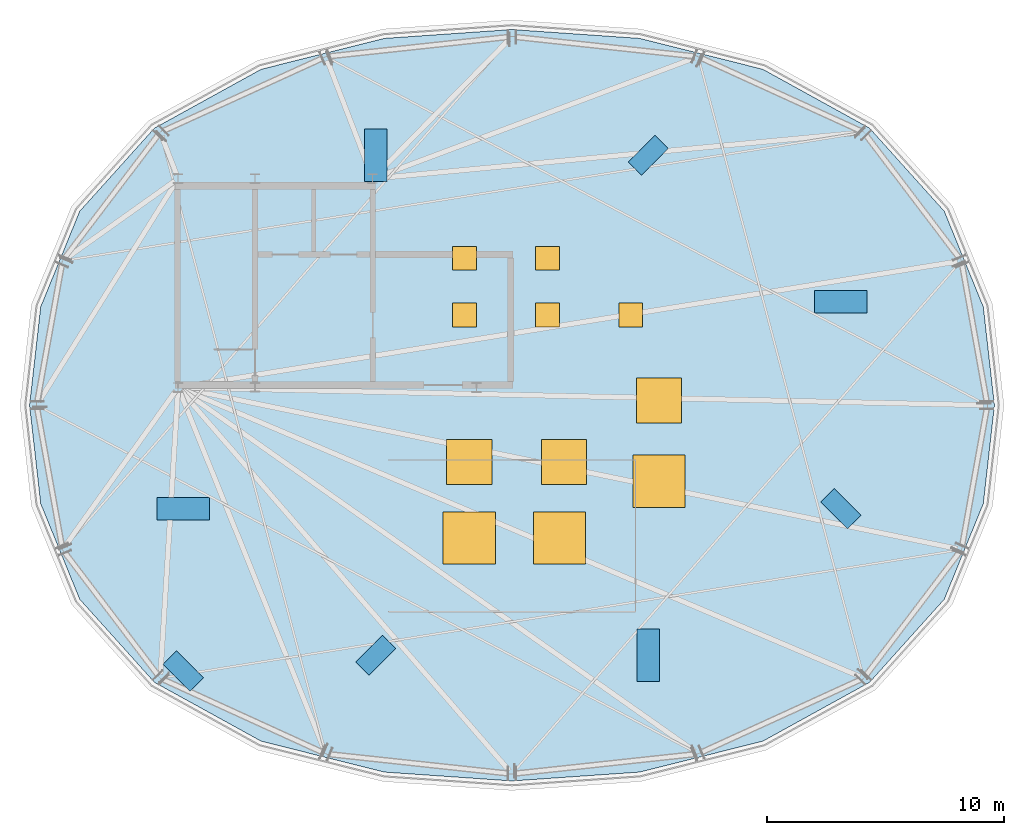
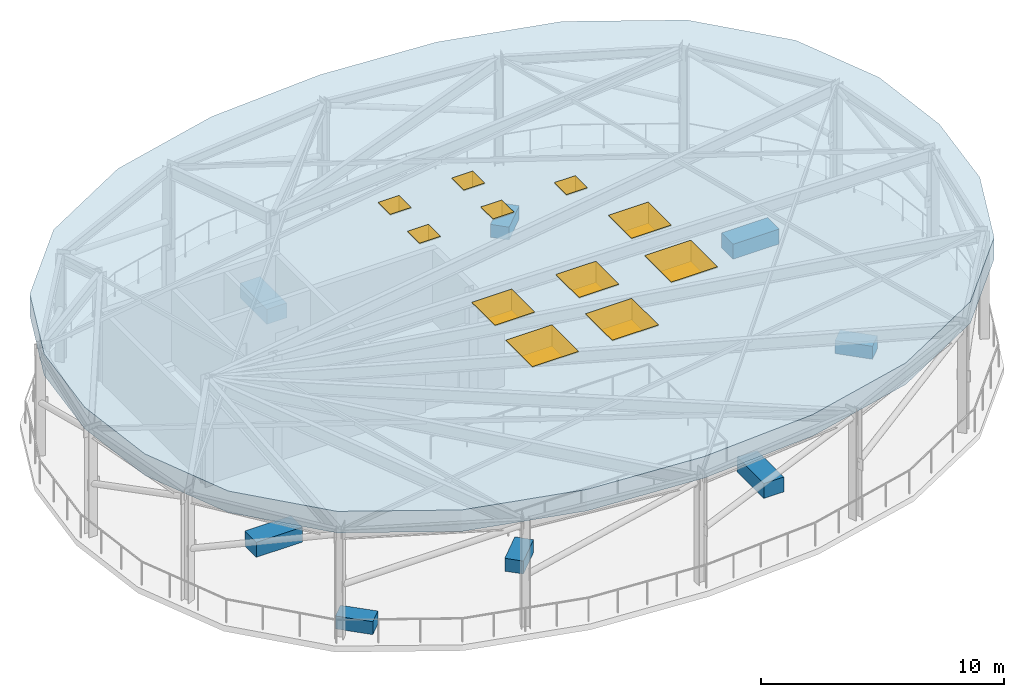
"""IFC4 building model written with IfcOpenShell, lengths in metres."""

from ifc_helpers import new_model, si_unit, direction, frame, origin, origin_2d, place, context, subcontext, project, spatial, polyline, rectangle, outline, extrude, material, layer, layer_set, type_object, element, fill, save


model = new_model("IFC4")

# Units and contexts
model_context = context("Model", 3, precision=1e-05, world=origin(), true_north=direction((0.0, 1.0)))
body_context = subcontext(model_context, "Body", "Model", "MODEL_VIEW")
ifc_project = project(units=[si_unit("LENGTHUNIT", "METRE"), si_unit("AREAUNIT", "SQUARE_METRE"), si_unit("VOLUMEUNIT", "CUBIC_METRE"), si_unit("PLANEANGLEUNIT", "RADIAN"), si_unit("MASSUNIT", "GRAM", prefix="KILO")], contexts=[model_context])

# Site, building, storey
site_placement = place(None, origin())
site = spatial("IfcSite", under=ifc_project, at=site_placement, CompositionType="ELEMENT")
building_placement = place(site_placement, origin())
building = spatial("IfcBuilding", under=site, at=building_placement, Name="Haldorwick Loom Tower", CompositionType="ELEMENT")
storey_1_placement = place(building_placement, frame((0.0, 0.0, 300.5)))
storey_1 = spatial("IfcBuildingStorey", under=building, at=storey_1_placement, Name="RF", CompositionType="ELEMENT", Elevation=300.5)

# Roof, openings, doors
ifc_material_1 = material(Name="Concrete C40 (40 MPa)", Category="concrete")
ifc_layer = layer(ifc_material_1, 1.080078125, Name="Concrete C40 (40 MPa)", Category="concrete")
ifc_layer_set = layer_set([ifc_layer], Name="Concrete C40 (40 MPa)")
roof_type = type_object("IfcRoofType", Name="STR-ROOF-CROWN220", PredefinedType="FLAT_ROOF", material=ifc_layer_set)
roof_placement = place(storey_1_placement, frame((0.0, 0.0, 5.419921875)))
roof = element("IfcRoof", 1, at=roof_placement, inside=storey_1, type_object=roof_type, Name="RF Botanical Sky-Garden High Canopy Roof", PredefinedType="FLAT_ROOF", context=body_context, shape_type="SweptSolid", body=[
    extrude(outline(polyline([(55.861083984375, 30.149169921875), (54.2177734375, 34.17578125), (51.068115234375, 37.678466796875), (46.569091796875, 40.15869140625), (41.36376953125, 41.46142578125), (36.0, 41.833740234375), (30.63623046875, 41.46142578125), (25.430908203125, 40.15869140625), (20.931884765625, 37.678466796875), (17.7822265625, 34.17578125), (16.138916015625, 30.149169921875), (15.6689453125, 26.0), (16.138916015625, 21.850830078125), (17.7822265625, 17.82421875), (20.931884765625, 14.321533203125), (25.430908203125, 11.84130859375), (30.63623046875, 10.53857421875), (36.0, 10.166259765625), (41.36376953125, 10.53857421875), (46.569091796875, 11.84130859375), (51.068115234375, 14.321533203125), (54.2177734375, 17.82421875), (55.861083984375, 21.850830078125), (56.3310546875, 26.0), (55.861083984375, 30.149169921875)])), origin(), (0.0, 0.0, 1.0), 1.080078125),
])
opening_1_placement = place(roof_placement, frame((34.199951171875, 20.39990234375, 0.0)))
opening_1 = element("IfcOpeningElement", 2, at=opening_1_placement, cuts=roof, Name="Opening SK-01", PredefinedType="OPENING", context=body_context, shape_type="SweptSolid", body=[
    extrude(rectangle(XDim=2.199951171875, YDim=2.199951171875, at=origin_2d()), origin(), (0.0, 0.0, 1.0), 1.080078125),
])
opening_2_placement = place(roof_placement, frame((38.0, 20.39990234375, 0.0)))
opening_2 = element("IfcOpeningElement", 3, at=opening_2_placement, cuts=roof, Name="Opening SK-01", PredefinedType="OPENING", context=body_context, shape_type="SweptSolid", body=[
    extrude(rectangle(XDim=2.199951171875, YDim=2.199951171875, at=origin_2d()), origin(), (0.0, 0.0, 1.0), 1.080078125),
])
opening_3_placement = place(roof_placement, frame((42.199951171875, 22.800048828125, 0.0)))
opening_3 = element("IfcOpeningElement", 4, at=opening_3_placement, cuts=roof, Name="Opening SK-01", PredefinedType="OPENING", context=body_context, shape_type="SweptSolid", body=[
    extrude(rectangle(XDim=2.199951171875, YDim=2.199951171875, at=origin_2d()), origin(), (0.0, 0.0, 1.0), 1.080078125),
])
opening_4_placement = place(roof_placement, frame((34.199951171875, 23.60009765625, 0.0)))
opening_4 = element("IfcOpeningElement", 5, at=opening_4_placement, cuts=roof, Name="Opening SK-02", PredefinedType="OPENING", context=body_context, shape_type="SweptSolid", body=[
    extrude(rectangle(XDim=1.89990234375, YDim=1.89990234375, at=origin_2d()), origin(), (0.0, 0.0, 1.0), 1.080078125),
])
opening_5_placement = place(roof_placement, frame((38.199951171875, 23.60009765625, 0.0)))
opening_5 = element("IfcOpeningElement", 6, at=opening_5_placement, cuts=roof, Name="Opening SK-02", PredefinedType="OPENING", context=body_context, shape_type="SweptSolid", body=[
    extrude(rectangle(XDim=1.89990234375, YDim=1.89990234375, at=origin_2d()), origin(), (0.0, 0.0, 1.0), 1.080078125),
])
opening_6_placement = place(roof_placement, frame((42.199951171875, 26.199951171875, 0.0)))
opening_6 = element("IfcOpeningElement", 7, at=opening_6_placement, cuts=roof, Name="Opening SK-02", PredefinedType="OPENING", context=body_context, shape_type="SweptSolid", body=[
    extrude(rectangle(XDim=1.89990234375, YDim=1.89990234375, at=origin_2d()), origin(), (0.0, 0.0, 1.0), 1.080078125),
])
opening_7_placement = place(roof_placement, frame((34.0, 29.800048828125, 0.0)))
opening_7 = element("IfcOpeningElement", 8, at=opening_7_placement, cuts=roof, Name="Opening D-HT10", PredefinedType="OPENING", context=body_context, shape_type="SweptSolid", body=[
    extrude(rectangle(XDim=1.0, YDim=1.0, at=origin_2d()), origin(), (0.0, 0.0, 1.0), 1.080078125),
])
opening_8_placement = place(roof_placement, frame((37.5, 29.800048828125, 0.0)))
opening_8 = element("IfcOpeningElement", 9, at=opening_8_placement, cuts=roof, Name="Opening D-HT10", PredefinedType="OPENING", context=body_context, shape_type="SweptSolid", body=[
    extrude(rectangle(XDim=1.0, YDim=1.0, at=origin_2d()), origin(), (0.0, 0.0, 1.0), 1.080078125),
])
opening_9_placement = place(roof_placement, frame((41.0, 29.800048828125, 0.0)))
opening_9 = element("IfcOpeningElement", 10, at=opening_9_placement, cuts=roof, Name="Opening D-HT10", PredefinedType="OPENING", context=body_context, shape_type="SweptSolid", body=[
    extrude(rectangle(XDim=1.0, YDim=1.0, at=origin_2d()), origin(), (0.0, 0.0, 1.0), 1.080078125),
])
opening_10_placement = place(roof_placement, frame((34.0, 32.199951171875, 0.0)))
opening_10 = element("IfcOpeningElement", 11, at=opening_10_placement, cuts=roof, Name="Opening D-HT10", PredefinedType="OPENING", context=body_context, shape_type="SweptSolid", body=[
    extrude(rectangle(XDim=1.0, YDim=1.0, at=origin_2d()), origin(), (0.0, 0.0, 1.0), 1.080078125),
])
opening_11_placement = place(roof_placement, frame((37.5, 32.199951171875, 0.0)))
opening_11 = element("IfcOpeningElement", 12, at=opening_11_placement, cuts=roof, Name="Opening D-HT10", PredefinedType="OPENING", context=body_context, shape_type="SweptSolid", body=[
    extrude(rectangle(XDim=1.0, YDim=1.0, at=origin_2d()), origin(), (0.0, 0.0, 1.0), 1.080078125),
])
ifc_material_2 = material(Name="Galvanized Steel CSA G40.21 350W", Category="steel")
door_type = type_object("IfcDoorType", Name="ARC-DR-HATCH", OperationType="SINGLE_SWING_LEFT", PredefinedType="TRAPDOOR", material=ifc_material_2)
door_1_placement = place(opening_7_placement, frame((0.0, 0.0, 1.030029296875)))
door_1 = element("IfcDoor", 13, at=door_1_placement, inside=storey_1, type_object=door_type, Name="RF Canopy Maintenance Roof Hatch 1", OperationType="SINGLE_SWING_LEFT", OverallHeight=1.0, OverallWidth=1.0, PredefinedType="TRAPDOOR", context=body_context, shape_type="SweptSolid", body=[
    extrude(rectangle(XDim=1.0, YDim=1.0, at=origin_2d()), origin(), (0.0, 0.0, 1.0), 0.050048828125),
])
fill(opening_7, door_1)
door_2_placement = place(opening_8_placement, frame((0.0, 0.0, 1.030029296875)))
door_2 = element("IfcDoor", 14, at=door_2_placement, inside=storey_1, type_object=door_type, Name="RF Canopy Maintenance Roof Hatch 2", OperationType="SINGLE_SWING_LEFT", OverallHeight=1.0, OverallWidth=1.0, PredefinedType="TRAPDOOR", context=body_context, shape_type="SweptSolid", body=[
    extrude(rectangle(XDim=1.0, YDim=1.0, at=origin_2d()), origin(), (0.0, 0.0, 1.0), 0.050048828125),
])
fill(opening_8, door_2)
door_3_placement = place(opening_9_placement, frame((0.0, 0.0, 1.030029296875)))
door_3 = element("IfcDoor", 15, at=door_3_placement, inside=storey_1, type_object=door_type, Name="RF Canopy Maintenance Roof Hatch 3", OperationType="SINGLE_SWING_LEFT", OverallHeight=1.0, OverallWidth=1.0, PredefinedType="TRAPDOOR", context=body_context, shape_type="SweptSolid", body=[
    extrude(rectangle(XDim=1.0, YDim=1.0, at=origin_2d()), origin(), (0.0, 0.0, 1.0), 0.050048828125),
])
fill(opening_9, door_3)
door_4_placement = place(opening_10_placement, frame((0.0, 0.0, 1.030029296875)))
door_4 = element("IfcDoor", 16, at=door_4_placement, inside=storey_1, type_object=door_type, Name="RF Canopy Maintenance Roof Hatch 4", OperationType="SINGLE_SWING_LEFT", OverallHeight=1.0, OverallWidth=1.0, PredefinedType="TRAPDOOR", context=body_context, shape_type="SweptSolid", body=[
    extrude(rectangle(XDim=1.0, YDim=1.0, at=origin_2d()), origin(), (0.0, 0.0, 1.0), 0.050048828125),
])
fill(opening_10, door_4)
door_5_placement = place(opening_11_placement, frame((0.0, 0.0, 1.030029296875)))
door_5 = element("IfcDoor", 17, at=door_5_placement, inside=storey_1, type_object=door_type, Name="RF Canopy Maintenance Roof Hatch 5", OperationType="SINGLE_SWING_LEFT", OverallHeight=1.0, OverallWidth=1.0, PredefinedType="TRAPDOOR", context=body_context, shape_type="SweptSolid", body=[
    extrude(rectangle(XDim=1.0, YDim=1.0, at=origin_2d()), origin(), (0.0, 0.0, 1.0), 0.050048828125),
])
fill(opening_11, door_5)

# Storey
storey_2_placement = place(building_placement, frame((0.0, 0.0, 296.0)))
storey_2 = spatial("IfcBuildingStorey", under=building, at=storey_2_placement, Name="L79", CompositionType="ELEMENT", Elevation=296.0)

# Window
ifc_material_3 = material(Name="Triple-Glazed Low-E Argon Insulated Glazing Unit", Category="glass")
window_type_1 = type_object("IfcWindowType", Name="ARC-WIN-SKYL", PartitioningType="SINGLE_PANEL", PredefinedType="SKYLIGHT", material=ifc_material_3)
window_1_placement = place(opening_1_placement, frame((0.0, 0.0, 1.030029296875)))
window_1 = element("IfcWindow", 18, at=window_1_placement, inside=storey_2, type_object=window_type_1, Name="RF Canopy Atrium Skylight 1", OverallHeight=2.199951171875, OverallWidth=2.199951171875, PartitioningType="SINGLE_PANEL", PredefinedType="SKYLIGHT", context=body_context, shape_type="SweptSolid", body=[
    extrude(rectangle(XDim=2.199951171875, YDim=2.199951171875, at=origin_2d()), origin(), (0.0, 0.0, 1.0), 0.050048828125),
])

fill(opening_1, window_1)

window_2_placement = place(opening_2_placement, frame((0.0, 0.0, 1.030029296875)))
window_2 = element("IfcWindow", 19, at=window_2_placement, inside=storey_2, type_object=window_type_1, Name="RF Canopy Atrium Skylight 2", OverallHeight=2.199951171875, OverallWidth=2.199951171875, PartitioningType="SINGLE_PANEL", PredefinedType="SKYLIGHT", context=body_context, shape_type="SweptSolid", body=[
    extrude(rectangle(XDim=2.199951171875, YDim=2.199951171875, at=origin_2d()), origin(), (0.0, 0.0, 1.0), 0.050048828125),
])

fill(opening_2, window_2)

window_3_placement = place(opening_3_placement, frame((0.0, 0.0, 1.030029296875)))
window_3 = element("IfcWindow", 20, at=window_3_placement, inside=storey_2, type_object=window_type_1, Name="RF Canopy Atrium Skylight 3", OverallHeight=2.199951171875, OverallWidth=2.199951171875, PartitioningType="SINGLE_PANEL", PredefinedType="SKYLIGHT", context=body_context, shape_type="SweptSolid", body=[
    extrude(rectangle(XDim=2.199951171875, YDim=2.199951171875, at=origin_2d()), origin(), (0.0, 0.0, 1.0), 0.050048828125),
])

fill(opening_3, window_3)

window_type_2 = type_object("IfcWindowType", Name="ARC-WIN-SKYL2", PartitioningType="SINGLE_PANEL", PredefinedType="SKYLIGHT", material=ifc_material_3)
window_4_placement = place(opening_4_placement, frame((0.0, 0.0, 1.030029296875)))
window_4 = element("IfcWindow", 21, at=window_4_placement, inside=storey_2, type_object=window_type_2, Name="RF Canopy Atrium Skylight 4", OverallHeight=1.89990234375, OverallWidth=1.89990234375, PartitioningType="SINGLE_PANEL", PredefinedType="SKYLIGHT", context=body_context, shape_type="SweptSolid", body=[
    extrude(rectangle(XDim=1.89990234375, YDim=1.89990234375, at=origin_2d()), origin(), (0.0, 0.0, 1.0), 0.050048828125),
])

fill(opening_4, window_4)

window_5_placement = place(opening_5_placement, frame((0.0, 0.0, 1.030029296875)))
window_5 = element("IfcWindow", 22, at=window_5_placement, inside=storey_2, type_object=window_type_2, Name="RF Canopy Atrium Skylight 5", OverallHeight=1.89990234375, OverallWidth=1.89990234375, PartitioningType="SINGLE_PANEL", PredefinedType="SKYLIGHT", context=body_context, shape_type="SweptSolid", body=[
    extrude(rectangle(XDim=1.89990234375, YDim=1.89990234375, at=origin_2d()), origin(), (0.0, 0.0, 1.0), 0.050048828125),
])

fill(opening_5, window_5)

window_6_placement = place(opening_6_placement, frame((0.0, 0.0, 1.030029296875)))
window_6 = element("IfcWindow", 23, at=window_6_placement, inside=storey_2, type_object=window_type_2, Name="RF Canopy Atrium Skylight 6", OverallHeight=1.89990234375, OverallWidth=1.89990234375, PartitioningType="SINGLE_PANEL", PredefinedType="SKYLIGHT", context=body_context, shape_type="SweptSolid", body=[
    extrude(rectangle(XDim=1.89990234375, YDim=1.89990234375, at=origin_2d()), origin(), (0.0, 0.0, 1.0), 0.050048828125),
])

fill(opening_6, window_6)

# Discrete accessories
ifc_material_4 = material(Name="Architectural Precast Concrete C40 (40 MPa)", Category="concrete")
discrete_accessory_type_1 = type_object("IfcDiscreteAccessoryType", Name="ARC-ACC-PLANTER", PredefinedType="USERDEFINED", material=ifc_material_4)
for number, where, z_axis, x_axis, name in (
    (24, (49.858154296875, 30.362548828125, 0.0), (0.0, 0.0, 1.0), (1.0, 0.0, 0.0), "RF Sky-Garden Botanical Planter 1"),
    (25, (30.259765625, 36.5322265625, 0.0), (0.0, 0.0, 1.0), (0.0, 1.0, 0.0), "RF Sky-Garden Botanical Planter 3"),
    (26, (22.141845703125, 21.637451171875, 0.0), (0.0, 0.0, 1.0), (-1.0, 0.0, 0.0), "RF Sky-Garden Botanical Planter 5"),
    (27, (41.740234375, 15.4677734375, 0.0), (0.0, 0.0, 1.0), (0.0, -1.0, 0.0), "RF Sky-Garden Botanical Planter 7"),
):
    element("IfcDiscreteAccessory", number, at=place(storey_1_placement, frame(where, z_axis=z_axis, x_axis=x_axis)), inside=storey_1, type_object=discrete_accessory_type_1, Name=name, ObjectType="PLANTER", PredefinedType="USERDEFINED", context=body_context, shape_type="SweptSolid", body=[
        extrude(rectangle(XDim=2.199951171875, YDim=0.949951171875, at=origin_2d()), origin(), (0.0, 0.0, 1.0), 0.75),
    ])
discrete_accessory_type_2 = type_object("IfcDiscreteAccessoryType", Name="ARC-ACC-PLANTER2", PredefinedType="USERDEFINED", material=ifc_material_4)
for number, where, z_axis, x_axis, name in (
    (28, (41.740234375, 36.5322265625, 0.0), (0.0, 0.0, 1.0), (0.707106781187, 0.707106781187, 0.0), "RF Sky-Garden Botanical Planter 2"),
    (29, (22.141845703125, 14.800048828125, 0.0), (0.0, 0.0, 1.0), (-0.707106781187, 0.707106781187, 0.0), "RF Sky-Garden Botanical Planter 4"),
    (30, (30.259765625, 15.4677734375, 0.0), (0.0, 0.0, 1.0), (-0.707106781187, -0.707106781187, 0.0), "RF Sky-Garden Botanical Planter 6"),
    (31, (49.858154296875, 21.637451171875, 0.0), (0.0, 0.0, 1.0), (0.707106781187, -0.707106781187, 0.0), "RF Sky-Garden Botanical Planter 8"),
):
    element("IfcDiscreteAccessory", number, at=place(storey_1_placement, frame(where, z_axis=z_axis, x_axis=x_axis)), inside=storey_1, type_object=discrete_accessory_type_2, Name=name, ObjectType="PLANTER", PredefinedType="USERDEFINED", context=body_context, shape_type="SweptSolid", body=[
        extrude(rectangle(XDim=1.60009765625, YDim=0.800048828125, at=origin_2d()), origin(), (0.0, 0.0, 1.0), 0.64990234375),
    ])

save(model, "model.ifc")
